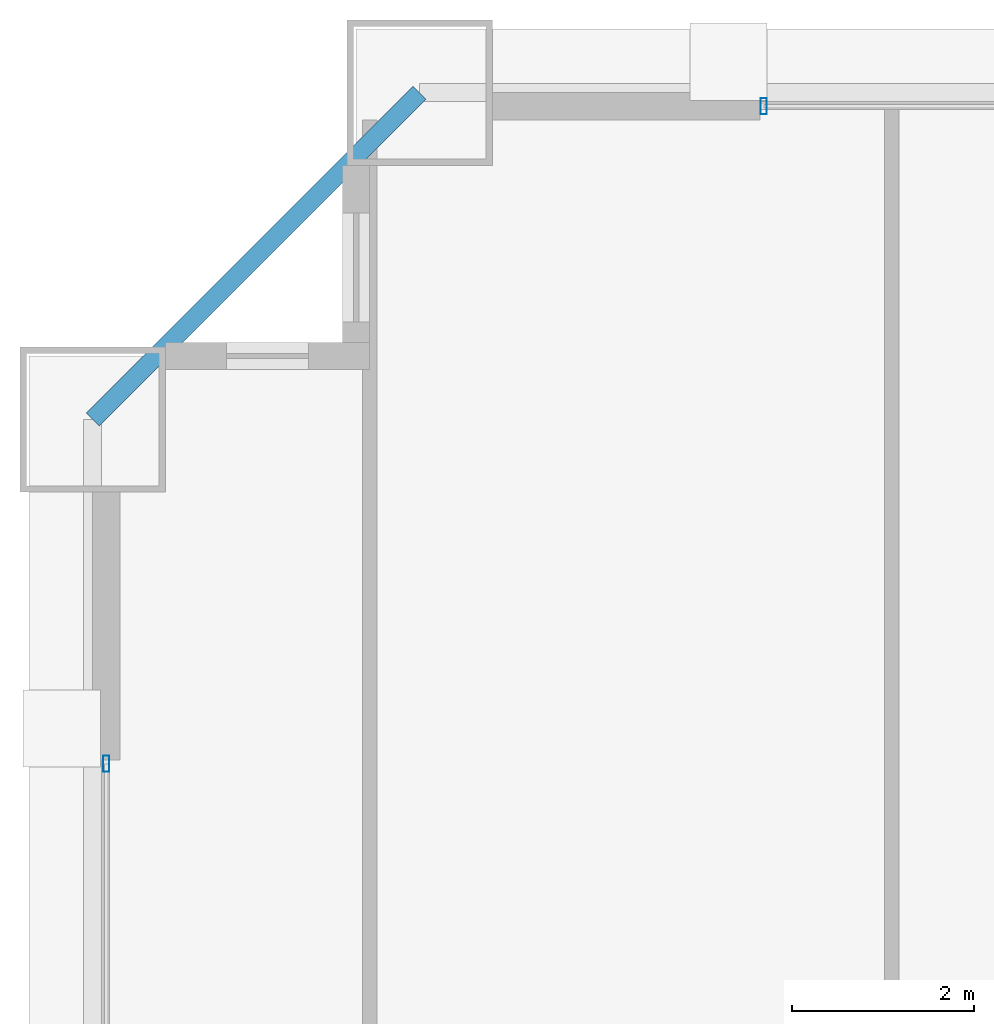
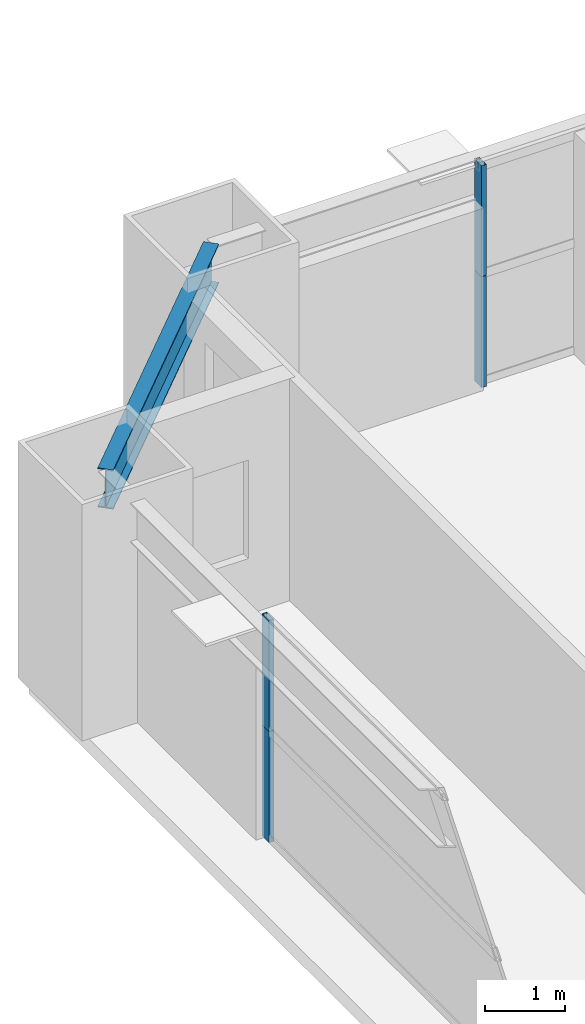
# One storey, part 22 of 38: 4 members, 1 beam, 2 elements without a shape of their own.
"""IFC4 building model written with IfcOpenShell, lengths in metres."""

from ifc_helpers import new_model, si_unit, direction, frame, origin, origin_2d, place, context, subcontext, project, spatial, hollow_rectangle, i_section, extrude, source, transform, mapped, material, layer, layer_set, material_profile, profile_set, type_object, element, aggregate, save


model = new_model("IFC4")

# Units and contexts
model_context = context("Model", 3, precision=1e-05, world=origin(), true_north=direction((0.0, 1.0)))
body_context = subcontext(model_context, "Body", "Model", "MODEL_VIEW")
ifc_project = project(units=[si_unit("LENGTHUNIT", "METRE"), si_unit("AREAUNIT", "SQUARE_METRE"), si_unit("VOLUMEUNIT", "CUBIC_METRE"), si_unit("PLANEANGLEUNIT", "RADIAN"), si_unit("MASSUNIT", "GRAM", prefix="KILO"), si_unit("THERMODYNAMICTEMPERATUREUNIT", "KELVIN"), si_unit("POWERUNIT", "WATT")], contexts=[model_context])

# Site, building, storey
site_placement = place(None, origin())
site = spatial("IfcSite", under=ifc_project, at=site_placement, CompositionType="ELEMENT")
building_placement = place(site_placement, origin())
building = spatial("IfcBuilding", under=site, at=building_placement, Name="Yuzanri Waterfront Tower", CompositionType="ELEMENT")
storey_placement = place(building_placement, frame((0.0, 0.0, 97.39990234375)))
storey = spatial("IfcBuildingStorey", under=building, at=storey_placement, Name="L25", CompositionType="ELEMENT", Elevation=97.39990234375)

# Beam
ifc_material_1 = material(Name="Steel Q355B", Category="steel")
ifc_material_profile_1 = material_profile(ifc_material_1, i_section(OverallWidth=0.199951171875, OverallDepth=0.60009765625, WebThickness=0.010986328125, FlangeThickness=0.01708984375, at=origin_2d()), Name="HN 600x200x11x17")
ifc_profile_set_1 = profile_set([ifc_material_profile_1], Name="Steel Q355B")
beam_type = type_object("IfcBeamType", Name="Perimeter Spandrel Q355B HN 600x200", PredefinedType="SPANDREL", material=ifc_profile_set_1)
shared_shape_1 = source(origin(), body_context, "Body", "SweptSolid", [
    extrude(i_section(OverallWidth=0.199951171875, OverallDepth=0.60009765625, WebThickness=0.010986328125, FlangeThickness=0.01708984375, at=origin_2d()), origin(), (0.0, 0.0, 1.0), 5.091064453125),
])
beam_placement = place(storey_placement, frame((17.0, 49.39990234375, 3.080078125), z_axis=(-0.707130757816, -0.707082803744, 0.0), x_axis=(0.707082803744, -0.707130757816, 0.0)))
element("IfcBeam", 1, at=beam_placement, inside=storey, type_object=beam_type, Name="L25 Perimeter Spandrel N1-W3", PredefinedType="SPANDREL", context=body_context, shape_type="MappedRepresentation", body=[
    mapped(shared_shape_1, transform((0.0, 0.0, 0.0), scale=1.0)),
])

# Curtain wall, members
ifc_material_2 = material(Name="Anodized Architectural Bronze", Category="metal")
ifc_layer = layer(ifc_material_2, 0.159912109375)
ifc_layer_set = layer_set([ifc_layer], Name="Anodized Architectural Bronze")
curtain_wall_type = type_object("IfcCurtainWallType", Name="Anodized Bronze Hotel Upper-Tier Solar-Control Unitized Curtain Wall 7800", PredefinedType="NOTDEFINED", material=ifc_layer_set)
curtain_wall_1_placement = place(storey_placement, origin())
curtain_wall_1 = element("IfcCurtainWall", 2, at=curtain_wall_1_placement, inside=storey, type_object=curtain_wall_type, Name="L25 Curtain Wall CW-L25-NL", PredefinedType="NOTDEFINED")
ifc_material_3 = material(Name="Anodized Architectural Bronze", Category="metal")
ifc_material_profile_2 = material_profile(ifc_material_3, hollow_rectangle(XDim=0.070068359375, YDim=0.179931640625, WallThickness=0.00390625, at=origin_2d()), Name="CWM 70x180")
ifc_profile_set_2 = profile_set([ifc_material_profile_2], Name="Anodized Architectural Bronze")
member_type = type_object("IfcMemberType", Name="Anodized Bronze Standard Curtain-Wall Mullion 70x180", PredefinedType="MULLION", material=ifc_profile_set_2)
shared_shape_2 = source(origin(), body_context, "Body", "SweptSolid", [
    extrude(hollow_rectangle(XDim=0.070068359375, YDim=0.179931640625, WallThickness=0.00390625, at=origin_2d()), origin(), (0.0, 0.0, 1.0), 1.68798828125),
])
member_1_placement = place(storey_placement, frame((20.7900390625, 49.25, 0.0), z_axis=(0.0, 0.0, 1.0), x_axis=(1.0, 0.0, 0.0)))
member_1 = element("IfcMember", 3, at=member_1_placement, type_object=member_type, Name="CW-L25-NL Lower Mullion 00", PredefinedType="MULLION", context=body_context, shape_type="MappedRepresentation", body=[
    mapped(shared_shape_2, transform((0.0, 0.0, 0.0), scale=1.0)),
])
member_2_placement = place(storey_placement, frame((20.7900390625, 49.25, 1.692138671875), z_axis=(0.0, 0.0, 1.0), x_axis=(1.0, 0.0, 0.0)))
member_2 = element("IfcMember", 4, at=member_2_placement, type_object=member_type, Name="CW-L25-NL Upper Mullion 00", PredefinedType="MULLION", context=body_context, shape_type="MappedRepresentation", body=[
    mapped(shared_shape_2, transform((0.0, 0.0, 0.0), scale=1.0)),
])
aggregate(curtain_wall_1, [member_1, member_2])

curtain_wall_2_placement = place(storey_placement, origin())
curtain_wall_2 = element("IfcCurtainWall", 5, at=curtain_wall_2_placement, inside=storey, type_object=curtain_wall_type, Name="L25 Curtain Wall CW-L25-WR", PredefinedType="NOTDEFINED")
member_3_placement = place(storey_placement, frame((13.550048828125, 42.010009765625, 0.0), z_axis=(0.0, 0.0, 1.0), x_axis=(1.0, 0.0, 0.0)))
member_3 = element("IfcMember", 6, at=member_3_placement, type_object=member_type, Name="CW-L25-WR Lower Mullion 02", PredefinedType="MULLION", context=body_context, shape_type="MappedRepresentation", body=[
    mapped(shared_shape_2, transform((0.0, 0.0, 0.0), scale=1.0)),
])
member_4_placement = place(storey_placement, frame((13.550048828125, 42.010009765625, 1.692138671875), z_axis=(0.0, 0.0, 1.0), x_axis=(1.0, 0.0, 0.0)))
member_4 = element("IfcMember", 7, at=member_4_placement, type_object=member_type, Name="CW-L25-WR Upper Mullion 02", PredefinedType="MULLION", context=body_context, shape_type="MappedRepresentation", body=[
    mapped(shared_shape_2, transform((0.0, 0.0, 0.0), scale=1.0)),
])
aggregate(curtain_wall_2, [member_3, member_4])

save(model, "model.ifc")
